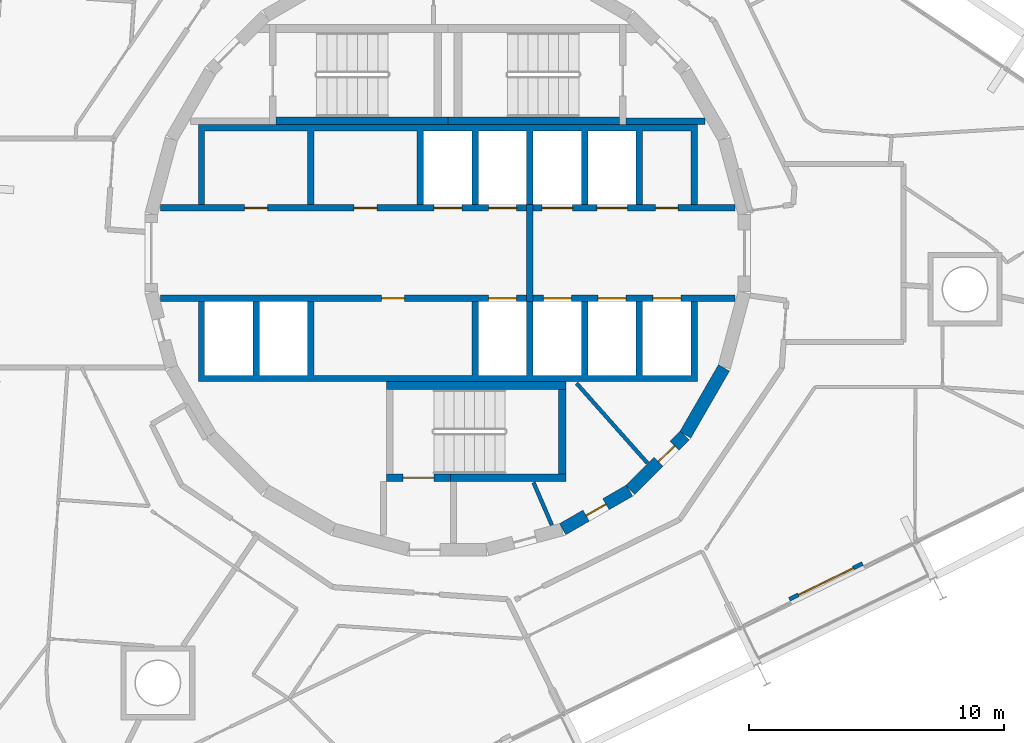
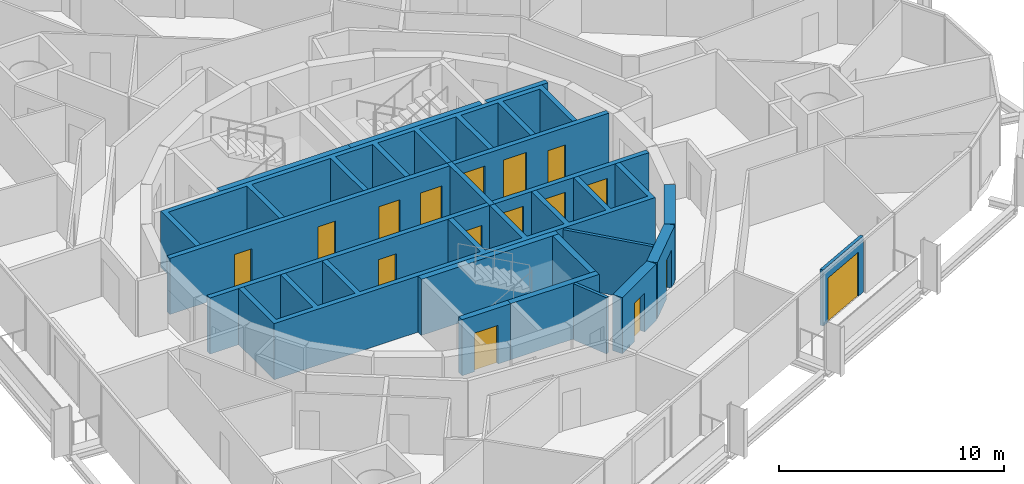
# One storey, part 13 of 17: 20 walls, 16 doors, 16 openings.
"""IFC4 building model written with IfcOpenShell, lengths in metres."""

from ifc_helpers import new_model, si_unit, direction, frame, frame_2d, origin, place, context, subcontext, project, spatial, polyline, rectangle, outline, extrude, material, layer, layer_set, type_object, element, fill, save


model = new_model("IFC4")

# Units and contexts
model_context = context("Model", 3, precision=1e-05, world=origin(), true_north=direction((0.0, 1.0)))
body_context = subcontext(model_context, "Body", "Model", "MODEL_VIEW")
ifc_project = project(units=[si_unit("LENGTHUNIT", "METRE"), si_unit("AREAUNIT", "SQUARE_METRE"), si_unit("VOLUMEUNIT", "CUBIC_METRE"), si_unit("PLANEANGLEUNIT", "RADIAN"), si_unit("MASSUNIT", "GRAM", prefix="KILO")], contexts=[model_context])

# Site, building, storey
site_placement = place(None, origin())
site = spatial("IfcSite", under=ifc_project, at=site_placement, CompositionType="ELEMENT")
building_placement = place(site_placement, origin())
building = spatial("IfcBuilding", under=site, at=building_placement, Name="Spindle Arch Residences", CompositionType="ELEMENT")
storey_placement = place(building_placement, frame((0.0, 0.0, 216.39990234375)))
storey = spatial("IfcBuildingStorey", under=building, at=storey_placement, Name="L55", CompositionType="ELEMENT", Elevation=216.39990234375)

# Wall, opening, door
ifc_material_1 = material(Name="Concrete C50/60", Category="concrete")
ifc_layer_1 = layer(ifc_material_1, 0.5)
ifc_layer_set_1 = layer_set([ifc_layer_1], Name="Core outline wall 500")
wall_type_1 = type_object("IfcWallType", Name="Core outline wall 500", PredefinedType="SHEAR", material=ifc_layer_set_1)
wall_1_placement = place(storey_placement, frame((4.510498046875, -10.84521484375, 0.0), z_axis=(0.0, 0.0, 1.0), x_axis=(0.865975092491, 0.500087131594, 0.0)))
wall_1 = element("IfcWall", 1, at=wall_1_placement, inside=storey, type_object=wall_type_1, Name="Core outline wall 2", PredefinedType="SHEAR", context=body_context, shape_type="SweptSolid", body=[
    extrude(rectangle(XDim=3.03271484375, YDim=0.5, at=frame_2d((1.516357421875, 0.0))), origin(), (0.0, 0.0, 1.0), 3.050048828125),
])
opening_1_placement = place(wall_1_placement, frame((1.06640625, 0.0, 0.0)))
opening_1 = element("IfcOpeningElement", 2, at=opening_1_placement, cuts=wall_1, Name="Opening R5C0-WD08", PredefinedType="OPENING", context=body_context, shape_type="SweptSolid", body=[
    extrude(rectangle(XDim=0.89990234375, YDim=2.10009765625, at=frame_2d((0.449951171875, 1.050048828125))), frame((0.0, 0.260009765625, 0.0), z_axis=(0.0, -1.0, 0.0), x_axis=(1.0, 0.0, 0.0)), (0.0, 0.0, 1.0), 0.52001953125),
])
ifc_material_2 = material(Name="Steel, fire-resisting door", Category="steel")
door_type_1 = type_object("IfcDoorType", Name="Service room door 900x2100", OperationType="SINGLE_SWING_LEFT", PredefinedType="DOOR", material=ifc_material_2)
door_1_placement = place(opening_1_placement, origin())
door_1 = element("IfcDoor", 3, at=door_1_placement, inside=storey, type_object=door_type_1, Name="Service room door R5C0-WD08", OperationType="SINGLE_SWING_RIGHT", OverallHeight=2.10009765625, OverallWidth=0.89990234375, PredefinedType="DOOR", context=body_context, shape_type="SweptSolid", body=[
    extrude(rectangle(XDim=0.89990234375, YDim=2.10009765625, at=frame_2d((0.449951171875, 1.050048828125))), frame((0.0, 0.02490234375, 0.0), z_axis=(0.0, -1.0, 0.0), x_axis=(1.0, 0.0, 0.0)), (0.0, 0.0, 1.0), 0.050048828125),
])
fill(opening_1, door_1)

wall_2_placement = place(storey_placement, frame((7.163818359375, -9.30810546875, 0.0), z_axis=(0.0, 0.0, 1.0), x_axis=(0.707106781187, 0.707106781187, 0.0)))
wall_2 = element("IfcWall", 4, at=wall_2_placement, inside=storey, type_object=wall_type_1, Name="Core outline wall 3", PredefinedType="SHEAR", context=body_context, shape_type="SweptSolid", body=[
    extrude(rectangle(XDim=3.032470703125, YDim=0.5, at=frame_2d((1.51611328125, 0.0))), origin(), (0.0, 0.0, 1.0), 3.050048828125),
])
opening_2_placement = place(wall_2_placement, frame((1.56640625, 0.0, 0.0)))
opening_2 = element("IfcOpeningElement", 5, at=opening_2_placement, cuts=wall_2, Name="Opening R5C0-WD06", PredefinedType="OPENING", context=body_context, shape_type="SweptSolid", body=[
    extrude(rectangle(XDim=0.89990234375, YDim=2.10009765625, at=frame_2d((0.449951171875, 1.050048828125))), frame((0.0, 0.260009765625, 0.0), z_axis=(0.0, -1.0, 0.0), x_axis=(1.0, 0.0, 0.0)), (0.0, 0.0, 1.0), 0.52001953125),
])
door_2_placement = place(opening_2_placement, origin())
door_2 = element("IfcDoor", 6, at=door_2_placement, inside=storey, type_object=door_type_1, Name="Service room door R5C0-WD06", OperationType="SINGLE_SWING_RIGHT", OverallHeight=2.10009765625, OverallWidth=0.89990234375, PredefinedType="DOOR", context=body_context, shape_type="SweptSolid", body=[
    extrude(rectangle(XDim=0.89990234375, YDim=2.10009765625, at=frame_2d((0.449951171875, 1.050048828125))), frame((0.0, 0.02490234375, 0.0), z_axis=(0.0, -1.0, 0.0), x_axis=(1.0, 0.0, 0.0)), (0.0, 0.0, 1.0), 0.050048828125),
])
fill(opening_2, door_2)

# Wall
wall_3_placement = place(storey_placement, frame((9.32861328125, -7.13671875, 0.0), z_axis=(0.0, 0.0, 1.0), x_axis=(0.500087131594, 0.865975092491, 0.0)))
element("IfcWall", 7, at=wall_3_placement, inside=storey, type_object=wall_type_1, Name="Core outline wall 4", PredefinedType="SHEAR", context=body_context, shape_type="SweptSolid", body=[
    extrude(rectangle(XDim=3.03271484375, YDim=0.5, at=frame_2d((1.516357421875, 0.0))), origin(), (0.0, 0.0, 1.0), 3.050048828125),
])

# Wall, openings, doors
ifc_material_3 = material(Name="Concrete C40/50", Category="concrete")
ifc_layer_2 = layer(ifc_material_3, 0.25)
ifc_layer_set_2 = layer_set([ifc_layer_2], Name="Fire-lift lobby wall 250")
wall_type_2 = type_object("IfcWallType", Name="Fire-lift lobby wall 250", PredefinedType="SHEAR", material=ifc_layer_set_2)
wall_4_placement = place(storey_placement, frame((3.35009765625, 1.77490234375, 0.0), z_axis=(0.0, 0.0, 1.0), x_axis=(1.0, 0.0, 0.0)))
wall_4 = element("IfcWall", 8, at=wall_4_placement, inside=storey, type_object=wall_type_2, Name="Lift shaft front wall NE", PredefinedType="SHEAR", context=body_context, shape_type="SweptSolid", body=[
    extrude(rectangle(XDim=7.929931640625, YDim=0.25, at=frame_2d((3.96484375, 0.0))), origin(), (0.0, 0.0, 1.0), 3.050048828125),
])
opening_3_placement = place(wall_4_placement, frame((0.35009765625, 0.0, 0.0)))
opening_3 = element("IfcOpeningElement", 9, at=opening_3_placement, cuts=wall_4, Name="Opening R5C0-SLD01", PredefinedType="OPENING", context=body_context, shape_type="SweptSolid", body=[
    extrude(rectangle(XDim=1.199951171875, YDim=2.39990234375, at=frame_2d((0.60009765625, 1.199951171875))), frame((0.0, 0.135009765625, 0.0), z_axis=(0.0, -1.0, 0.0), x_axis=(1.0, 0.0, 0.0)), (0.0, 0.0, 1.0), 0.27001953125),
])
opening_4_placement = place(wall_4_placement, frame((2.5, 0.0, 0.0)))
opening_4 = element("IfcOpeningElement", 10, at=opening_4_placement, cuts=wall_4, Name="Opening R5C0-SLD02", PredefinedType="OPENING", context=body_context, shape_type="SweptSolid", body=[
    extrude(rectangle(XDim=1.199951171875, YDim=2.39990234375, at=frame_2d((0.60009765625, 1.199951171875))), frame((0.0, 0.135009765625, 0.0), z_axis=(0.0, -1.0, 0.0), x_axis=(1.0, 0.0, 0.0)), (0.0, 0.0, 1.0), 0.27001953125),
])
opening_5_placement = place(wall_4_placement, frame((4.800048828125, 0.0, 0.0)))
opening_5 = element("IfcOpeningElement", 11, at=opening_5_placement, cuts=wall_4, Name="Opening R5C0-WD03", PredefinedType="OPENING", context=body_context, shape_type="SweptSolid", body=[
    extrude(rectangle(XDim=0.89990234375, YDim=2.10009765625, at=frame_2d((0.449951171875, 1.050048828125))), frame((0.0, 0.135009765625, 0.0), z_axis=(0.0, -1.0, 0.0), x_axis=(1.0, 0.0, 0.0)), (0.0, 0.0, 1.0), 0.27001953125),
])
ifc_material_4 = material(Name="Steel, fire-resisting landing door", Category="steel")
door_type_2 = type_object("IfcDoorType", Name="Service lift landing door 1200x2400", OperationType="DOUBLE_DOOR_SLIDING", PredefinedType="DOOR", material=ifc_material_4)
door_3_placement = place(opening_3_placement, origin())
door_3 = element("IfcDoor", 12, at=door_3_placement, inside=storey, type_object=door_type_2, Name="Service lift landing door R5C0-SLD01", OperationType="DOUBLE_DOOR_SLIDING", OverallHeight=2.39990234375, OverallWidth=1.199951171875, PredefinedType="DOOR", context=body_context, shape_type="SweptSolid", body=[
    extrude(rectangle(XDim=1.199951171875, YDim=2.39990234375, at=frame_2d((0.60009765625, 1.199951171875))), frame((0.0, 0.02490234375, 0.0), z_axis=(0.0, -1.0, 0.0), x_axis=(1.0, 0.0, 0.0)), (0.0, 0.0, 1.0), 0.050048828125),
])
fill(opening_3, door_3)
door_4_placement = place(opening_4_placement, origin())
door_4 = element("IfcDoor", 13, at=door_4_placement, inside=storey, type_object=door_type_2, Name="Service lift landing door R5C0-SLD02", OperationType="DOUBLE_DOOR_SLIDING", OverallHeight=2.39990234375, OverallWidth=1.199951171875, PredefinedType="DOOR", context=body_context, shape_type="SweptSolid", body=[
    extrude(rectangle(XDim=1.199951171875, YDim=2.39990234375, at=frame_2d((0.60009765625, 1.199951171875))), frame((0.0, 0.02490234375, 0.0), z_axis=(0.0, -1.0, 0.0), x_axis=(1.0, 0.0, 0.0)), (0.0, 0.0, 1.0), 0.050048828125),
])
fill(opening_4, door_4)
door_5_placement = place(opening_5_placement, origin())
door_5 = element("IfcDoor", 14, at=door_5_placement, inside=storey, type_object=door_type_1, Name="Service room door R5C0-WD03", OperationType="SINGLE_SWING_LEFT", OverallHeight=2.10009765625, OverallWidth=0.89990234375, PredefinedType="DOOR", context=body_context, shape_type="SweptSolid", body=[
    extrude(rectangle(XDim=0.89990234375, YDim=2.10009765625, at=frame_2d((0.449951171875, 1.050048828125))), frame((0.0, 0.02490234375, 0.0), z_axis=(0.0, -1.0, 0.0), x_axis=(1.0, 0.0, 0.0)), (0.0, 0.0, 1.0), 0.050048828125),
])
fill(opening_5, door_5)

# Wall
wall_5_placement = place(storey_placement, frame((3.22509765625, -1.89990234375, 0.0), z_axis=(0.0, 0.0, 1.0), x_axis=(0.0, 1.0, 0.0)))
element("IfcWall", 15, at=wall_5_placement, inside=storey, type_object=wall_type_2, Name="Fire-fighting lobby partition", PredefinedType="SHEAR", context=body_context, shape_type="SweptSolid", body=[
    extrude(rectangle(XDim=3.7998046875, YDim=0.25, at=frame_2d((1.89990234375, 0.0))), origin(), (0.0, 0.0, 1.0), 3.050048828125),
])

# Wall, openings, doors
ifc_material_5 = material(Name="Concrete C50/60", Category="concrete")
ifc_layer_3 = layer(ifc_material_5, 0.25)
ifc_layer_set_3 = layer_set([ifc_layer_3], Name="Fire-lift shaft wall 250")
wall_type_3 = type_object("IfcWallType", Name="Fire-lift shaft wall 250", PredefinedType="SHEAR", material=ifc_layer_set_3)
wall_6_placement = place(storey_placement, frame((3.35009765625, -1.77490234375, 0.0), z_axis=(0.0, 0.0, 1.0), x_axis=(1.0, 0.0, 0.0)))
wall_6 = element("IfcWall", 16, at=wall_6_placement, inside=storey, type_object=wall_type_3, Name="Lift shaft front wall SE", PredefinedType="SHEAR", context=body_context, shape_type="SweptSolid", body=[
    extrude(rectangle(XDim=7.929931640625, YDim=0.25, at=frame_2d((3.96484375, 0.0))), origin(), (0.0, 0.0, 1.0), 3.050048828125),
])
opening_6_placement = place(wall_6_placement, frame((0.39990234375, 0.0, 0.0)))
opening_6 = element("IfcOpeningElement", 17, at=opening_6_placement, cuts=wall_6, Name="Opening R5C0-FLD01", PredefinedType="OPENING", context=body_context, shape_type="SweptSolid", body=[
    extrude(rectangle(XDim=1.10009765625, YDim=2.39990234375, at=frame_2d((0.550048828125, 1.199951171875))), frame((0.0, 0.135009765625, 0.0), z_axis=(0.0, -1.0, 0.0), x_axis=(1.0, 0.0, 0.0)), (0.0, 0.0, 1.0), 0.27001953125),
])
opening_7_placement = place(wall_6_placement, frame((2.550048828125, 0.0, 0.0)))
opening_7 = element("IfcOpeningElement", 18, at=opening_7_placement, cuts=wall_6, Name="Opening R5C0-FLD02", PredefinedType="OPENING", context=body_context, shape_type="SweptSolid", body=[
    extrude(rectangle(XDim=1.10009765625, YDim=2.39990234375, at=frame_2d((0.550048828125, 1.199951171875))), frame((0.0, 0.135009765625, 0.0), z_axis=(0.0, -1.0, 0.0), x_axis=(1.0, 0.0, 0.0)), (0.0, 0.0, 1.0), 0.27001953125),
])
opening_8_placement = place(wall_6_placement, frame((4.699951171875, 0.0, 0.0)))
opening_8 = element("IfcOpeningElement", 19, at=opening_8_placement, cuts=wall_6, Name="Opening R5C0-FLD03", PredefinedType="OPENING", context=body_context, shape_type="SweptSolid", body=[
    extrude(rectangle(XDim=1.10009765625, YDim=2.39990234375, at=frame_2d((0.550048828125, 1.199951171875))), frame((0.0, 0.135009765625, 0.0), z_axis=(0.0, -1.0, 0.0), x_axis=(1.0, 0.0, 0.0)), (0.0, 0.0, 1.0), 0.27001953125),
])
ifc_material_6 = material(Name="Steel, fire-resisting landing door", Category="steel")
door_type_3 = type_object("IfcDoorType", Name="Fire-fighting lift landing door 1100x2400", OperationType="DOUBLE_DOOR_SLIDING", PredefinedType="DOOR", material=ifc_material_6)
door_6_placement = place(opening_6_placement, origin())
door_6 = element("IfcDoor", 20, at=door_6_placement, inside=storey, type_object=door_type_3, Name="Fire-fighting lift landing door R5C0-FLD01", OperationType="DOUBLE_DOOR_SLIDING", OverallHeight=2.39990234375, OverallWidth=1.10009765625, PredefinedType="DOOR", context=body_context, shape_type="SweptSolid", body=[
    extrude(rectangle(XDim=1.10009765625, YDim=2.39990234375, at=frame_2d((0.550048828125, 1.199951171875))), frame((0.0, 0.02490234375, 0.0), z_axis=(0.0, -1.0, 0.0), x_axis=(1.0, 0.0, 0.0)), (0.0, 0.0, 1.0), 0.050048828125),
])
fill(opening_6, door_6)
door_7_placement = place(opening_7_placement, origin())
door_7 = element("IfcDoor", 21, at=door_7_placement, inside=storey, type_object=door_type_3, Name="Fire-fighting lift landing door R5C0-FLD02", OperationType="DOUBLE_DOOR_SLIDING", OverallHeight=2.39990234375, OverallWidth=1.10009765625, PredefinedType="DOOR", context=body_context, shape_type="SweptSolid", body=[
    extrude(rectangle(XDim=1.10009765625, YDim=2.39990234375, at=frame_2d((0.550048828125, 1.199951171875))), frame((0.0, 0.02490234375, 0.0), z_axis=(0.0, -1.0, 0.0), x_axis=(1.0, 0.0, 0.0)), (0.0, 0.0, 1.0), 0.050048828125),
])
fill(opening_7, door_7)
door_8_placement = place(opening_8_placement, origin())
door_8 = element("IfcDoor", 22, at=door_8_placement, inside=storey, type_object=door_type_3, Name="Fire-fighting lift landing door R5C0-FLD03", OperationType="DOUBLE_DOOR_SLIDING", OverallHeight=2.39990234375, OverallWidth=1.10009765625, PredefinedType="DOOR", context=body_context, shape_type="SweptSolid", body=[
    extrude(rectangle(XDim=1.10009765625, YDim=2.39990234375, at=frame_2d((0.550048828125, 1.199951171875))), frame((0.0, 0.02490234375, 0.0), z_axis=(0.0, -1.0, 0.0), x_axis=(1.0, 0.0, 0.0)), (0.0, 0.0, 1.0), 0.050048828125),
])
fill(opening_8, door_8)

# Wall, opening, door
ifc_material_7 = material(Name="Non-combustible mineral wool insulated aluminium faced external wall (K0)", Category="aluminium")
ifc_layer_4 = layer(ifc_material_7, 0.159912109375)
ifc_layer_set_4 = layer_set([ifc_layer_4], Name="Insulated external wall panel 160")
wall_type_4 = type_object("IfcWallType", Name="Insulated external wall panel 160", PredefinedType="STANDARD", material=ifc_layer_set_4)
wall_7_placement = place(storey_placement, frame((13.411865234375, -13.59765625, 0.0), z_axis=(0.0, 0.0, 1.0), x_axis=(0.898793373747, 0.438372525723, 0.0)))
wall_7 = element("IfcWall", 23, at=wall_7_placement, inside=storey, type_object=wall_type_4, Name="External wall L55 bay 1", PredefinedType="STANDARD", context=body_context, shape_type="SweptSolid", body=[
    extrude(rectangle(XDim=3.2001953125, YDim=0.159912109375, at=frame_2d((1.60009765625, 0.0))), origin(), (0.0, 0.0, 1.0), 3.050048828125),
])
opening_9_placement = place(wall_7_placement, frame((0.39990234375, 0.0, 0.0)))
opening_9 = element("IfcOpeningElement", 24, at=opening_9_placement, cuts=wall_7, Name="Opening BD01", PredefinedType="OPENING", context=body_context, shape_type="SweptSolid", body=[
    extrude(rectangle(XDim=2.39990234375, YDim=2.39990234375, at=frame_2d((1.199951171875, 1.199951171875))), frame((0.0, 0.08984375, 0.0), z_axis=(0.0, -1.0, 0.0), x_axis=(1.0, 0.0, 0.0)), (0.0, 0.0, 1.0), 0.179931640625),
])
ifc_material_8 = material(Name="Bronze aluminium frame, tinted double glazing", Category="aluminium")
door_type_4 = type_object("IfcDoorType", Name="Sliding glazed balcony door 2400x2400", OperationType="DOUBLE_DOOR_SLIDING", PredefinedType="DOOR", material=ifc_material_8)
door_9_placement = place(opening_9_placement, origin())
door_9 = element("IfcDoor", 25, at=door_9_placement, inside=storey, type_object=door_type_4, Name="Balcony door BD01", OperationType="DOUBLE_DOOR_SLIDING", OverallHeight=2.39990234375, OverallWidth=2.39990234375, PredefinedType="DOOR", context=body_context, shape_type="SweptSolid", body=[
    extrude(rectangle(XDim=2.39990234375, YDim=2.39990234375, at=frame_2d((1.199951171875, 1.199951171875))), frame((0.0, 0.02490234375, 0.0), z_axis=(0.0, -1.0, 0.0), x_axis=(1.0, 0.0, 0.0)), (0.0, 0.0, 1.0), 0.050048828125),
])
fill(opening_9, door_9)

# Wall, openings, doors
ifc_material_9 = material(Name="Concrete C50/60", Category="concrete")
ifc_layer_5 = layer(ifc_material_9, 0.25)
ifc_layer_set_5 = layer_set([ifc_layer_5], Name="Lift shaft wall 250")
wall_type_5 = type_object("IfcWallType", Name="Lift shaft wall 250", PredefinedType="SHEAR", material=ifc_layer_set_5)
wall_8_placement = place(storey_placement, frame((-11.280029296875, 1.77490234375, 0.0), z_axis=(0.0, 0.0, 1.0), x_axis=(1.0, 0.0, 0.0)))
wall_8 = element("IfcWall", 26, at=wall_8_placement, inside=storey, type_object=wall_type_5, Name="Lift shaft front wall NW", PredefinedType="SHEAR", context=body_context, shape_type="SweptSolid", body=[
    extrude(rectangle(XDim=14.380126953125, YDim=0.25, at=frame_2d((7.18994140625, 0.0))), origin(), (0.0, 0.0, 1.0), 3.050048828125),
])
opening_10_placement = place(wall_8_placement, frame((10.72998046875, 0.0, 0.0)))
opening_10 = element("IfcOpeningElement", 27, at=opening_10_placement, cuts=wall_8, Name="Opening R5C0-LD01", PredefinedType="OPENING", context=body_context, shape_type="SweptSolid", body=[
    extrude(rectangle(XDim=1.10009765625, YDim=2.10009765625, at=frame_2d((0.550048828125, 1.050048828125))), frame((0.0, 0.135009765625, 0.0), z_axis=(0.0, -1.0, 0.0), x_axis=(1.0, 0.0, 0.0)), (0.0, 0.0, 1.0), 0.27001953125),
])
opening_11_placement = place(wall_8_placement, frame((12.8798828125, 0.0, 0.0)))
opening_11 = element("IfcOpeningElement", 28, at=opening_11_placement, cuts=wall_8, Name="Opening R5C0-LD02", PredefinedType="OPENING", context=body_context, shape_type="SweptSolid", body=[
    extrude(rectangle(XDim=1.10009765625, YDim=2.10009765625, at=frame_2d((0.550048828125, 1.050048828125))), frame((0.0, 0.135009765625, 0.0), z_axis=(0.0, -1.0, 0.0), x_axis=(1.0, 0.0, 0.0)), (0.0, 0.0, 1.0), 0.27001953125),
])
opening_12_placement = place(wall_8_placement, frame((3.304931640625, 0.0, 0.0)))
opening_12 = element("IfcOpeningElement", 29, at=opening_12_placement, cuts=wall_8, Name="Opening R5C0-WD01", PredefinedType="OPENING", context=body_context, shape_type="SweptSolid", body=[
    extrude(rectangle(XDim=0.89990234375, YDim=2.10009765625, at=frame_2d((0.449951171875, 1.050048828125))), frame((0.0, 0.135009765625, 0.0), z_axis=(0.0, -1.0, 0.0), x_axis=(1.0, 0.0, 0.0)), (0.0, 0.0, 1.0), 0.27001953125),
])
opening_13_placement = place(wall_8_placement, frame((7.60498046875, 0.0, 0.0)))
opening_13 = element("IfcOpeningElement", 30, at=opening_13_placement, cuts=wall_8, Name="Opening R5C0-WD02", PredefinedType="OPENING", context=body_context, shape_type="SweptSolid", body=[
    extrude(rectangle(XDim=0.89990234375, YDim=2.10009765625, at=frame_2d((0.449951171875, 1.050048828125))), frame((0.0, 0.135009765625, 0.0), z_axis=(0.0, -1.0, 0.0), x_axis=(1.0, 0.0, 0.0)), (0.0, 0.0, 1.0), 0.27001953125),
])
ifc_material_10 = material(Name="Steel, fire-resisting landing door", Category="steel")
door_type_5 = type_object("IfcDoorType", Name="Lift landing door 1100x2100", OperationType="DOUBLE_DOOR_SLIDING", PredefinedType="DOOR", material=ifc_material_10)
door_10_placement = place(opening_10_placement, origin())
door_10 = element("IfcDoor", 31, at=door_10_placement, inside=storey, type_object=door_type_5, Name="Lift landing door R5C0-LD01", OperationType="DOUBLE_DOOR_SLIDING", OverallHeight=2.10009765625, OverallWidth=1.10009765625, PredefinedType="DOOR", context=body_context, shape_type="SweptSolid", body=[
    extrude(rectangle(XDim=1.10009765625, YDim=2.10009765625, at=frame_2d((0.550048828125, 1.050048828125))), frame((0.0, 0.02490234375, 0.0), z_axis=(0.0, -1.0, 0.0), x_axis=(1.0, 0.0, 0.0)), (0.0, 0.0, 1.0), 0.050048828125),
])
fill(opening_10, door_10)
door_11_placement = place(opening_11_placement, origin())
door_11 = element("IfcDoor", 32, at=door_11_placement, inside=storey, type_object=door_type_5, Name="Lift landing door R5C0-LD02", OperationType="DOUBLE_DOOR_SLIDING", OverallHeight=2.10009765625, OverallWidth=1.10009765625, PredefinedType="DOOR", context=body_context, shape_type="SweptSolid", body=[
    extrude(rectangle(XDim=1.10009765625, YDim=2.10009765625, at=frame_2d((0.550048828125, 1.050048828125))), frame((0.0, 0.02490234375, 0.0), z_axis=(0.0, -1.0, 0.0), x_axis=(1.0, 0.0, 0.0)), (0.0, 0.0, 1.0), 0.050048828125),
])
fill(opening_11, door_11)
door_12_placement = place(opening_12_placement, origin())
door_12 = element("IfcDoor", 33, at=door_12_placement, inside=storey, type_object=door_type_1, Name="Service room door R5C0-WD01", OperationType="SINGLE_SWING_LEFT", OverallHeight=2.10009765625, OverallWidth=0.89990234375, PredefinedType="DOOR", context=body_context, shape_type="SweptSolid", body=[
    extrude(rectangle(XDim=0.89990234375, YDim=2.10009765625, at=frame_2d((0.449951171875, 1.050048828125))), frame((0.0, 0.02490234375, 0.0), z_axis=(0.0, -1.0, 0.0), x_axis=(1.0, 0.0, 0.0)), (0.0, 0.0, 1.0), 0.050048828125),
])
fill(opening_12, door_12)
door_13_placement = place(opening_13_placement, origin())
door_13 = element("IfcDoor", 34, at=door_13_placement, inside=storey, type_object=door_type_1, Name="Service room door R5C0-WD02", OperationType="SINGLE_SWING_RIGHT", OverallHeight=2.10009765625, OverallWidth=0.89990234375, PredefinedType="DOOR", context=body_context, shape_type="SweptSolid", body=[
    extrude(rectangle(XDim=0.89990234375, YDim=2.10009765625, at=frame_2d((0.449951171875, 1.050048828125))), frame((0.0, 0.02490234375, 0.0), z_axis=(0.0, -1.0, 0.0), x_axis=(1.0, 0.0, 0.0)), (0.0, 0.0, 1.0), 0.050048828125),
])
fill(opening_13, door_13)

wall_9_placement = place(storey_placement, frame((-11.280029296875, -1.77490234375, 0.0), z_axis=(0.0, 0.0, 1.0), x_axis=(1.0, 0.0, 0.0)))
wall_9 = element("IfcWall", 35, at=wall_9_placement, inside=storey, type_object=wall_type_5, Name="Lift shaft front wall SW", PredefinedType="SHEAR", context=body_context, shape_type="SweptSolid", body=[
    extrude(rectangle(XDim=14.380126953125, YDim=0.25, at=frame_2d((7.18994140625, 0.0))), origin(), (0.0, 0.0, 1.0), 3.050048828125),
])
opening_14_placement = place(wall_9_placement, frame((12.8798828125, 0.0, 0.0)))
opening_14 = element("IfcOpeningElement", 36, at=opening_14_placement, cuts=wall_9, Name="Opening R5C0-LD03", PredefinedType="OPENING", context=body_context, shape_type="SweptSolid", body=[
    extrude(rectangle(XDim=1.10009765625, YDim=2.10009765625, at=frame_2d((0.550048828125, 1.050048828125))), frame((0.0, 0.135009765625, 0.0), z_axis=(0.0, -1.0, 0.0), x_axis=(1.0, 0.0, 0.0)), (0.0, 0.0, 1.0), 0.27001953125),
])
opening_15_placement = place(wall_9_placement, frame((8.679931640625, 0.0, 0.0)))
opening_15 = element("IfcOpeningElement", 37, at=opening_15_placement, cuts=wall_9, Name="Opening R5C0-WD04", PredefinedType="OPENING", context=body_context, shape_type="SweptSolid", body=[
    extrude(rectangle(XDim=0.89990234375, YDim=2.10009765625, at=frame_2d((0.449951171875, 1.050048828125))), frame((0.0, 0.135009765625, 0.0), z_axis=(0.0, -1.0, 0.0), x_axis=(1.0, 0.0, 0.0)), (0.0, 0.0, 1.0), 0.27001953125),
])
door_14_placement = place(opening_14_placement, origin())
door_14 = element("IfcDoor", 38, at=door_14_placement, inside=storey, type_object=door_type_5, Name="Lift landing door R5C0-LD03", OperationType="DOUBLE_DOOR_SLIDING", OverallHeight=2.10009765625, OverallWidth=1.10009765625, PredefinedType="DOOR", context=body_context, shape_type="SweptSolid", body=[
    extrude(rectangle(XDim=1.10009765625, YDim=2.10009765625, at=frame_2d((0.550048828125, 1.050048828125))), frame((0.0, 0.02490234375, 0.0), z_axis=(0.0, -1.0, 0.0), x_axis=(1.0, 0.0, 0.0)), (0.0, 0.0, 1.0), 0.050048828125),
])
fill(opening_14, door_14)
door_15_placement = place(opening_15_placement, origin())
door_15 = element("IfcDoor", 39, at=door_15_placement, inside=storey, type_object=door_type_1, Name="Service room door R5C0-WD04", OperationType="SINGLE_SWING_RIGHT", OverallHeight=2.10009765625, OverallWidth=0.89990234375, PredefinedType="DOOR", context=body_context, shape_type="SweptSolid", body=[
    extrude(rectangle(XDim=0.89990234375, YDim=2.10009765625, at=frame_2d((0.449951171875, 1.050048828125))), frame((0.0, 0.02490234375, 0.0), z_axis=(0.0, -1.0, 0.0), x_axis=(1.0, 0.0, 0.0)), (0.0, 0.0, 1.0), 0.050048828125),
])
fill(opening_15, door_15)

# Walls
ifc_material_11 = material(Name="Concrete C50/60", Category="concrete")
wall_type_6 = type_object("IfcWallType", Name="Lift shaft wall profile", PredefinedType="SHEAR", material=ifc_material_11)
wall_10_placement = place(storey_placement, origin())
element("IfcWall", 40, at=wall_10_placement, inside=storey, type_object=wall_type_6, Name="Lift shaft walls N", PredefinedType="SHEAR", context=body_context, shape_type="SweptSolid", body=[
    extrude(outline(polyline([(-9.550048828125, 4.800048828125), (-5.5, 4.800048828125), (-5.5, 1.89990234375), (-5.25, 1.89990234375), (-5.25, 4.800048828125), (-1.199951171875, 4.800048828125), (-1.199951171875, 1.89990234375), (-0.949951171875, 1.89990234375), (-0.949951171875, 4.800048828125), (0.949951171875, 4.800048828125), (0.949951171875, 1.89990234375), (1.199951171875, 1.89990234375), (1.199951171875, 4.800048828125), (3.10009765625, 4.800048828125), (3.10009765625, 1.89990234375), (3.35009765625, 1.89990234375), (3.35009765625, 4.800048828125), (5.25, 4.800048828125), (5.25, 1.89990234375), (5.5, 1.89990234375), (5.5, 4.800048828125), (7.39990234375, 4.800048828125), (7.39990234375, 1.89990234375), (7.64990234375, 1.89990234375), (7.64990234375, 4.800048828125), (9.550048828125, 4.800048828125), (9.550048828125, 1.89990234375), (9.800048828125, 1.89990234375), (9.800048828125, 4.800048828125), (9.800048828125, 5.050048828125), (-9.800048828125, 5.050048828125), (-9.800048828125, 4.800048828125), (-9.800048828125, 1.89990234375), (-9.550048828125, 1.89990234375), (-9.550048828125, 4.800048828125)])), origin(), (0.0, 0.0, 1.0), 3.050048828125),
])
wall_11_placement = place(storey_placement, origin())
element("IfcWall", 41, at=wall_11_placement, inside=storey, type_object=wall_type_6, Name="Lift shaft walls S", PredefinedType="SHEAR", context=body_context, shape_type="SweptSolid", body=[
    extrude(outline(polyline([(9.800048828125, -5.050048828125), (9.800048828125, -4.800048828125), (9.800048828125, -1.89990234375), (9.550048828125, -1.89990234375), (9.550048828125, -4.800048828125), (7.64990234375, -4.800048828125), (7.64990234375, -1.89990234375), (7.39990234375, -1.89990234375), (7.39990234375, -4.800048828125), (5.5, -4.800048828125), (5.5, -1.89990234375), (5.25, -1.89990234375), (5.25, -4.800048828125), (3.35009765625, -4.800048828125), (3.35009765625, -1.89990234375), (3.10009765625, -1.89990234375), (3.10009765625, -4.800048828125), (1.199951171875, -4.800048828125), (1.199951171875, -1.89990234375), (0.949951171875, -1.89990234375), (0.949951171875, -4.800048828125), (-5.25, -4.800048828125), (-5.25, -1.89990234375), (-5.5, -1.89990234375), (-5.5, -4.800048828125), (-7.39990234375, -4.800048828125), (-7.39990234375, -1.89990234375), (-7.64990234375, -1.89990234375), (-7.64990234375, -4.800048828125), (-9.550048828125, -4.800048828125), (-9.550048828125, -1.89990234375), (-9.800048828125, -1.89990234375), (-9.800048828125, -4.800048828125), (-9.800048828125, -5.050048828125), (9.800048828125, -5.050048828125)])), origin(), (0.0, 0.0, 1.0), 3.050048828125),
])
ifc_material_12 = material(Name="Concrete C25/30", Category="concrete")
ifc_layer_6 = layer(ifc_material_12, 0.14990234375)
ifc_layer_set_6 = layer_set([ifc_layer_6], Name="Service room partition 150")
wall_type_7 = type_object("IfcWallType", Name="Service room partition 150", PredefinedType="PARTITIONING", material=ifc_layer_set_6)
wall_12_placement = place(storey_placement, frame((7.84228515625, -8.24755859375, 0.0), z_axis=(0.0, 0.0, 1.0), x_axis=(-0.66446128181, 0.747322691329, 0.0)))
element("IfcWall", 42, at=wall_12_placement, inside=storey, type_object=wall_type_7, Name="Core service room partition", PredefinedType="PARTITIONING", context=body_context, shape_type="SweptSolid", body=[
    extrude(rectangle(XDim=4.198486328125, YDim=0.14990234375, at=frame_2d((2.09912109375, 0.0))), origin(), (0.0, 0.0, 1.0), 3.050048828125),
])
wall_13_placement = place(storey_placement, frame((3.366943359375, -9.0068359375, 0.0), z_axis=(0.0, 0.0, 1.0), x_axis=(0.394387482265, -0.918944238696, 0.0)))
element("IfcWall", 43, at=wall_13_placement, inside=storey, type_object=wall_type_7, Name="Core service room partition", PredefinedType="PARTITIONING", context=body_context, shape_type="SweptSolid", body=[
    extrude(rectangle(XDim=1.824951171875, YDim=0.14990234375, at=frame_2d((0.91259765625, 0.0))), origin(), (0.0, 0.0, 1.0), 3.050048828125),
])
ifc_material_13 = material(Name="Concrete C40/50", Category="concrete")
ifc_layer_7 = layer(ifc_material_13, 0.25)
ifc_layer_set_7 = layer_set([ifc_layer_7], Name="Stair airlock wall 250")
wall_type_8 = type_object("IfcWallType", Name="Stair airlock wall 250", PredefinedType="SHEAR", material=ifc_layer_set_7)
wall_14_placement = place(storey_placement, frame((7.0, 5.175048828125, 0.0), z_axis=(0.0, 0.0, 1.0), x_axis=(1.0, 0.0, 0.0)))
element("IfcWall", 44, at=wall_14_placement, inside=storey, type_object=wall_type_8, Name="Stair ST-1 airlock wall S", PredefinedType="SHEAR", context=body_context, shape_type="SweptSolid", body=[
    extrude(rectangle(XDim=3.10009765625, YDim=0.25, at=frame_2d((1.550048828125, 0.0))), origin(), (0.0, 0.0, 1.0), 3.050048828125),
])
ifc_material_14 = material(Name="Concrete C50/60", Category="concrete")
ifc_layer_8 = layer(ifc_material_14, 0.300048828125)
ifc_layer_set_8 = layer_set([ifc_layer_8], Name="Stair enclosure wall 300")
wall_type_9 = type_object("IfcWallType", Name="Stair enclosure wall 300", PredefinedType="SHEAR", material=ifc_layer_set_8)
for number, where, z_axis, x_axis, name in (
    (45, (0.0, 5.199951171875, 0.0), (0.0, 0.0, 1.0), (1.0, 0.0, 0.0), "Stair ST-1 enclosure wall S"),
    (46, (-6.75, 5.199951171875, 0.0), (0.0, 0.0, 1.0), (1.0, 0.0, 0.0), "Stair ST-2 enclosure wall S"),
):
    element("IfcWall", number, at=place(storey_placement, frame(where, z_axis=z_axis, x_axis=x_axis)), inside=storey, type_object=wall_type_9, Name=name, PredefinedType="SHEAR", context=body_context, shape_type="SweptSolid", body=[
        extrude(rectangle(XDim=6.75, YDim=0.300048828125, at=frame_2d((3.375, 0.0))), origin(), (0.0, 0.0, 1.0), 3.050048828125),
    ])
wall_15_placement = place(storey_placement, frame((-2.39990234375, -5.199951171875, 0.0), z_axis=(0.0, 0.0, 1.0), x_axis=(1.0, 0.0, 0.0)))
element("IfcWall", 47, at=wall_15_placement, inside=storey, type_object=wall_type_9, Name="Stair ST-3 enclosure wall N", PredefinedType="SHEAR", context=body_context, shape_type="SweptSolid", body=[
    extrude(rectangle(XDim=7.0498046875, YDim=0.300048828125, at=frame_2d((3.52490234375, 0.0))), origin(), (0.0, 0.0, 1.0), 3.050048828125),
])
wall_16_placement = place(storey_placement, frame((4.5, -8.669921875, 0.0), z_axis=(0.0, 0.0, 1.0), x_axis=(0.0, 1.0, 0.0)))
element("IfcWall", 48, at=wall_16_placement, inside=storey, type_object=wall_type_9, Name="Stair ST-3 enclosure wall E", PredefinedType="SHEAR", context=body_context, shape_type="SweptSolid", body=[
    extrude(rectangle(XDim=3.31982421875, YDim=0.300048828125, at=frame_2d((1.659912109375, 0.0))), origin(), (0.0, 0.0, 1.0), 3.050048828125),
])
wall_17_placement = place(storey_placement, frame((0.10009765625, -8.820068359375, 0.0), z_axis=(0.0, 0.0, 1.0), x_axis=(1.0, 0.0, 0.0)))
element("IfcWall", 49, at=wall_17_placement, inside=storey, type_object=wall_type_9, Name="Stair ST-3 enclosure wall S", PredefinedType="SHEAR", context=body_context, shape_type="SweptSolid", body=[
    extrude(rectangle(XDim=4.5498046875, YDim=0.300048828125, at=frame_2d((2.27490234375, 0.0))), origin(), (0.0, 0.0, 1.0), 3.050048828125),
])

# Wall, opening, door
wall_18_placement = place(storey_placement, frame((-2.39990234375, -8.820068359375, 0.0), z_axis=(0.0, 0.0, 1.0), x_axis=(1.0, 0.0, 0.0)))
wall_18 = element("IfcWall", 50, at=wall_18_placement, inside=storey, type_object=wall_type_9, Name="Stair ST-3 door wall", PredefinedType="SHEAR", context=body_context, shape_type="SweptSolid", body=[
    extrude(rectangle(XDim=2.5, YDim=0.300048828125, at=frame_2d((1.25, 0.0))), origin(), (0.0, 0.0, 1.0), 3.050048828125),
])
opening_16_placement = place(wall_18_placement, frame((0.64990234375, 0.0, 0.0)))
opening_16 = element("IfcOpeningElement", 51, at=opening_16_placement, cuts=wall_18, Name="Opening R5C0-SD03", PredefinedType="OPENING", context=body_context, shape_type="SweptSolid", body=[
    extrude(rectangle(XDim=1.199951171875, YDim=2.10009765625, at=frame_2d((0.60009765625, 1.050048828125))), frame((0.0, 0.16015625, 0.0), z_axis=(0.0, -1.0, 0.0), x_axis=(1.0, 0.0, 0.0)), (0.0, 0.0, 1.0), 0.320068359375),
])
ifc_material_15 = material(Name="Steel, fire-resisting door", Category="steel")
door_type_6 = type_object("IfcDoorType", Name="Stair door 1200x2100", OperationType="SINGLE_SWING_RIGHT", PredefinedType="DOOR", material=ifc_material_15)
door_16_placement = place(opening_16_placement, origin())
door_16 = element("IfcDoor", 52, at=door_16_placement, inside=storey, type_object=door_type_6, Name="Stair door R5C0-SD03", OperationType="SINGLE_SWING_LEFT", OverallHeight=2.10009765625, OverallWidth=1.199951171875, PredefinedType="DOOR", context=body_context, shape_type="SweptSolid", body=[
    extrude(rectangle(XDim=1.199951171875, YDim=2.10009765625, at=frame_2d((0.60009765625, 1.050048828125))), frame((0.0, 0.02490234375, 0.0), z_axis=(0.0, -1.0, 0.0), x_axis=(1.0, 0.0, 0.0)), (0.0, 0.0, 1.0), 0.050048828125),
])
fill(opening_16, door_16)

save(model, "model.ifc")
